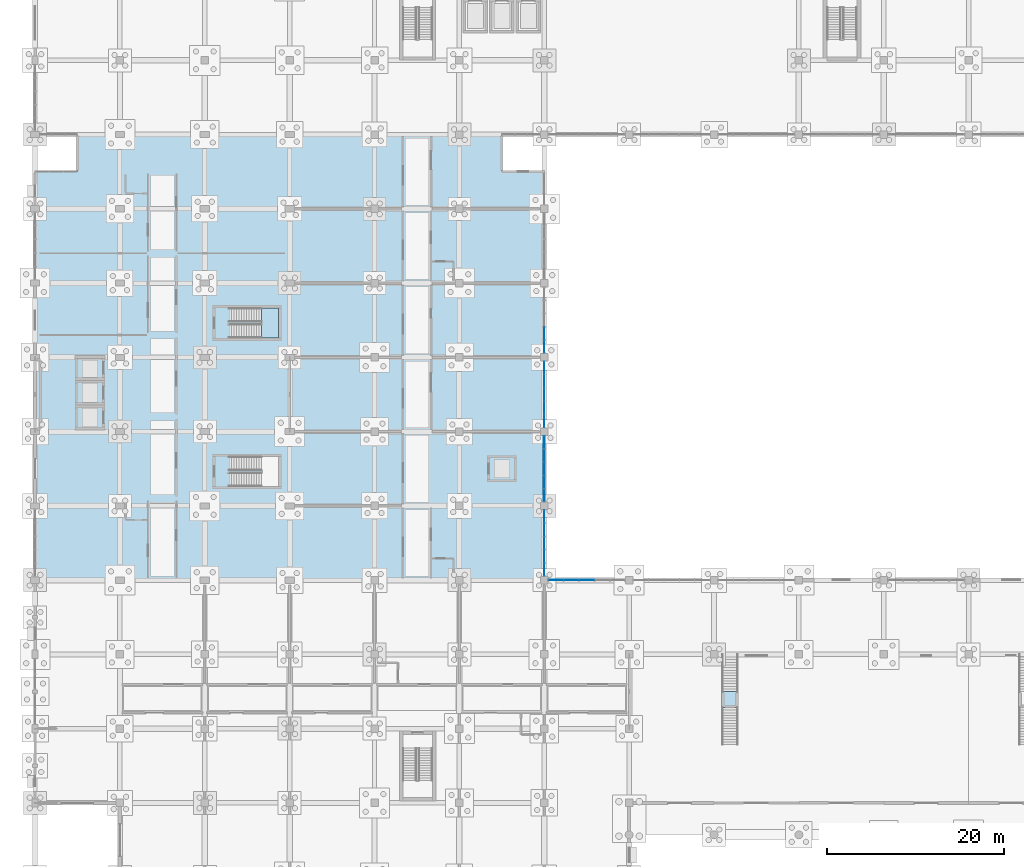
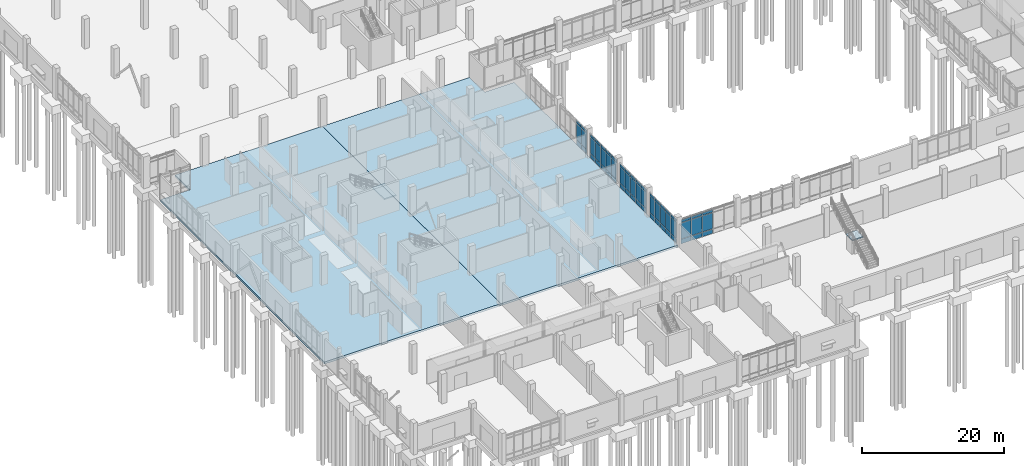
# One storey, part 74 of 136: 60 plates, 4 slabs, 7 elements without a shape of their own.
"""IFC4 building model written with IfcOpenShell, lengths in metres."""

import ifcopenshell
import ifcopenshell.guid

model = None  # the IFC model being written
_history = None  # IfcOwnerHistory: only IFC2X3 demands one
_inside = {}  # id of a spatial element -> (the spatial element, [elements in it])
_under = {}  # id of a project, library or spatial element -> (it, [spatial elements below it])
_declared = {}  # id of a project -> (the project, [libraries it declares])
_typed = {}  # id of a type object -> (the type object, [elements of that type])
_made_of = {}  # id of a material, layer set ... -> (it, [elements and type objects made of it])


def new_model(schema):
    """Start an empty IFC model of exactly this schema.

    Asked for "IFC4X3", IfcOpenShell would pick the latest addendum, in which some entities
    have other attributes; the version numbers below select the first issue.
    IFC2X3 requires an IfcOwnerHistory on every rooted entity: one is made here for all.
    """
    global model, _history
    if schema == "IFC4X3":
        model = ifcopenshell.file(schema_version=(4, 3, 0, 0))
    else:
        model = ifcopenshell.file(schema=schema)
    _inside.clear()
    _under.clear()
    _declared.clear()
    _typed.clear()
    _made_of.clear()
    _history = None
    if model.schema == "IFC2X3":
        org = make("IfcOrganization", Name="unknown")
        user = make(
            "IfcPersonAndOrganization",
            ThePerson=make("IfcPerson", FamilyName="unknown"),
            TheOrganization=org,
        )
        app = make(
            "IfcApplication",
            ApplicationDeveloper=org,
            Version="unknown",
            ApplicationFullName="unknown",
            ApplicationIdentifier="unknown",
        )
        _history = make(
            "IfcOwnerHistory",
            OwningUser=user,
            OwningApplication=app,
            ChangeAction="ADDED",
            CreationDate=0,
        )
    return model


def make(cls, **values):
    """One entity of the class cls with the attributes given. An attribute that is None is left unset."""
    return model.create_entity(
        cls, **{name: value for name, value in values.items() if value is not None}
    )


def rooted(cls, **values):
    """An entity with a GlobalId (a new one), such as an element, a storey or a relation."""
    return make(cls, GlobalId=ifcopenshell.guid.new(), OwnerHistory=_history, **values)


def si_unit(unit_type, name, prefix=None):
    """IfcSIUnit, for example si_unit("LENGTHUNIT", "METRE", prefix="MILLI")."""
    return make("IfcSIUnit", UnitType=unit_type, Prefix=prefix, Name=name)


def assignment(units):
    """IfcUnitAssignment: the units of a project."""
    return None if units is None else make("IfcUnitAssignment", Units=units)


def point(xyz):
    """IfcCartesianPoint."""
    return None if xyz is None else make("IfcCartesianPoint", Coordinates=xyz)


def direction(xyz):
    """IfcDirection."""
    return None if xyz is None else make("IfcDirection", DirectionRatios=xyz)


def frame(location, z_axis=None, x_axis=None):
    """IfcAxis2Placement3D, a coordinate frame: its origin and axes. An axis left out is left unset."""
    return make(
        "IfcAxis2Placement3D",
        Location=point(location),
        Axis=direction(z_axis),
        RefDirection=direction(x_axis),
    )


def frame_2d(location, x_axis=None):
    """IfcAxis2Placement2D, a coordinate frame in the plane: its origin and x axis."""
    return make(
        "IfcAxis2Placement2D", Location=point(location), RefDirection=direction(x_axis)
    )


def origin():
    """The frame at (0, 0, 0) with its axes left unset."""
    return frame((0.0, 0.0, 0.0))


def origin_2d():
    """The frame at (0, 0) in the plane with its x axis left unset."""
    return frame_2d((0.0, 0.0))


def place(relative_to, where):
    """IfcLocalPlacement: puts the frame where relative to a parent placement (None: the world)."""
    return make(
        "IfcLocalPlacement", PlacementRelTo=relative_to, RelativePlacement=where
    )


def context(
    kind, dimensions, precision=None, world=None, true_north=None, identifier=None
):
    """IfcGeometricRepresentationContext, for example the 3D "Model" context."""
    return make(
        "IfcGeometricRepresentationContext",
        ContextIdentifier=identifier,
        ContextType=kind,
        CoordinateSpaceDimension=dimensions,
        Precision=precision,
        WorldCoordinateSystem=world,
        TrueNorth=true_north,
    )


def subcontext(parent, identifier, kind, view, scale=None):
    """IfcGeometricRepresentationSubContext, for example "Body" below "Model"."""
    return make(
        "IfcGeometricRepresentationSubContext",
        ContextIdentifier=identifier,
        ContextType=kind,
        ParentContext=parent,
        TargetScale=scale,
        TargetView=view,
    )


def project(units=None, contexts=None):
    """IfcProject with its units and contexts."""
    return rooted(
        "IfcProject",
        Name="project",
        RepresentationContexts=contexts,
        UnitsInContext=assignment(units),
    )


def spatial(cls, under=None, at=None, **own):
    """A site, building, storey or space (cls), placed at a placement, below another one or the project."""
    s = rooted(cls, ObjectPlacement=at, **own)
    if under is not None:
        _under.setdefault(under.id(), (under, []))[1].append(s)
    return s


def polyline(points):
    """IfcPolyline through the points."""
    return make("IfcPolyline", Points=[point(p) for p in points])


def profile(cls, at=None, kind="AREA", **sizes):
    """A parametric profile (cls). Its sizes go by their IFC names, for example OverallWidth=200.0."""
    return make(cls, ProfileType=kind, Position=at, **sizes)


def rectangle(**sizes):
    """IfcRectangleProfileDef."""
    return profile("IfcRectangleProfileDef", **sizes)


def outline(outer, holes=None, kind="AREA"):
    """IfcArbitraryClosedProfileDef: a profile drawn as a closed curve; with holes, ...WithVoids."""
    if holes is None:
        return make("IfcArbitraryClosedProfileDef", ProfileType=kind, OuterCurve=outer)
    return make(
        "IfcArbitraryProfileDefWithVoids",
        ProfileType=kind,
        OuterCurve=outer,
        InnerCurves=holes,
    )


def extrude(swept, where, along, depth):
    """IfcExtrudedAreaSolid: the profile swept, set in the frame where, extruded along a direction by depth."""
    return make(
        "IfcExtrudedAreaSolid",
        SweptArea=swept,
        Position=where,
        ExtrudedDirection=direction(along),
        Depth=depth,
    )


def shape(context_of_items, identifier, shape_type, items):
    """IfcShapeRepresentation: the items that make up one representation, for example the "Body"."""
    return make(
        "IfcShapeRepresentation",
        ContextOfItems=context_of_items,
        RepresentationIdentifier=identifier,
        RepresentationType=shape_type,
        Items=items,
    )


def material(Name=None, Category=None):
    """IfcMaterial."""
    return make("IfcMaterial", Name=Name, Category=Category)


def layer(
    of_material, thickness, ventilated=None, Name=None, Category=None, Priority=None
):
    """IfcMaterialLayer: one layer of a wall or slab, of a material (None: an air gap)."""
    return make(
        "IfcMaterialLayer",
        Material=of_material,
        LayerThickness=thickness,
        IsVentilated=ventilated,
        Name=Name,
        Category=Category,
        Priority=Priority,
    )


def layer_set(layers, Name=None):
    """IfcMaterialLayerSet."""
    return make("IfcMaterialLayerSet", MaterialLayers=layers, LayerSetName=Name)


def made_of(thing, what):
    """Note that an element or type object is made of a material, layer set ...; save() writes the relation."""
    if what is not None:
        _made_of.setdefault(what.id(), (what, []))[1].append(thing)
    return thing


def type_object(cls, material=None, **own):
    """A type object (cls), such as IfcWallType, which elements share."""
    return made_of(rooted(cls, **own), material)


def element(
    cls,
    number,
    at=None,
    inside=None,
    cuts=None,
    type_object=None,
    material=None,
    context=None,
    identifier="Body",
    shape_type=None,
    held_by="IfcProductDefinitionShape",
    body=None,
    shapes=None,
    **own,
):
    """One element of the class cls, such as IfcWall. Its Tag is "e" and its number.

    at: its placement. inside: the storey or other place that contains it. cuts: it is an
    opening in that element (IfcRelVoidsElement). A single representation is given by context,
    identifier, shape_type and body (its items); several are given by shapes. held_by: the class
    of the entity that holds the representations. save() writes the other relations.
    """
    e = rooted(cls, Tag="e%d" % number, ObjectPlacement=at, **own)
    if body is not None:
        shapes = [shape(context, identifier, shape_type, body)]
    if shapes is not None:
        e.Representation = make(held_by, Representations=shapes)
    if inside is not None:
        _inside.setdefault(inside.id(), (inside, []))[1].append(e)
    if cuts is not None:
        rooted(
            "IfcRelVoidsElement", RelatingBuildingElement=cuts, RelatedOpeningElement=e
        )
    if type_object is not None:
        _typed.setdefault(type_object.id(), (type_object, []))[1].append(e)
    return made_of(e, material)


def aggregate(whole, parts):
    """IfcRelAggregates: a whole, such as a stair, and the parts it consists of."""
    return rooted("IfcRelAggregates", RelatingObject=whole, RelatedObjects=parts)


def save(model, path):
    """Write the relations noted so far, then the file.

    IfcRelAggregates (storeys below a building ...), IfcRelContainedInSpatialStructure (elements
    in a storey), IfcRelDefinesByType, IfcRelAssociatesMaterial and IfcRelDeclares: one each for
    every whole, place, type object, material and project.
    """
    for whole, parts in _under.values():
        aggregate(whole, parts)
    for where, things in _inside.values():
        rooted(
            "IfcRelContainedInSpatialStructure",
            RelatedElements=things,
            RelatingStructure=where,
        )
    for kind, things in _typed.values():
        rooted("IfcRelDefinesByType", RelatedObjects=things, RelatingType=kind)
    for what, things in _made_of.values():
        rooted("IfcRelAssociatesMaterial", RelatedObjects=things, RelatingMaterial=what)
    for by, libraries in _declared.values():
        rooted("IfcRelDeclares", RelatingContext=by, RelatedDefinitions=libraries)
    model.write(path)


model = new_model("IFC4")

# Units and contexts
model_context = context("Model", 3, precision=1e-05, world=origin(), true_north=direction((0.0, 1.0)))
body_context = subcontext(model_context, "Body", "Model", "MODEL_VIEW")
ifc_project = project(units=[si_unit("LENGTHUNIT", "METRE"), si_unit("AREAUNIT", "SQUARE_METRE"), si_unit("VOLUMEUNIT", "CUBIC_METRE"), si_unit("PLANEANGLEUNIT", "RADIAN"), si_unit("MASSUNIT", "GRAM", prefix="KILO")], contexts=[model_context])

# Site, building, storey
site_placement = place(None, origin())
site = spatial("IfcSite", under=ifc_project, at=site_placement, CompositionType="ELEMENT")
building_placement = place(site_placement, origin())
building = spatial("IfcBuilding", under=site, at=building_placement, Name="Oolite Switchyard Hospital", CompositionType="ELEMENT")
storey_placement = place(building_placement, origin())
storey = spatial("IfcBuildingStorey", under=building, at=storey_placement, Name="L00", CompositionType="ELEMENT", Elevation=0.0)

# Curtain wall, plates
ifc_material_1 = material(Name="Thermally broken aluminum frame with laminated impact glazing", Category="aluminium")
curtain_wall_type_1 = type_object("IfcCurtainWallType", Name="CW-UNIT-96X51", PredefinedType="USERDEFINED", material=ifc_material_1)
curtain_wall_1_placement = place(storey_placement, origin())
curtain_wall_1 = element("IfcCurtainWall", 1, at=curtain_wall_1_placement, inside=storey, type_object=curtain_wall_type_1, Name="L00 Unitised Curtain Wall 14", ObjectType="UNITISED", PredefinedType="USERDEFINED")
ifc_material_2 = material(Name="Insulated fluoropolymer-coated aluminum spandrel panel", Category="aluminium")
ifc_layer_1 = layer(ifc_material_2, 0.054931640625)
ifc_layer_set_1 = layer_set([ifc_layer_1], Name="CW-PNL-SPN55")
plate_type_1 = type_object("IfcPlateType", Name="CW-PNL-SPN55", PredefinedType="CURTAIN_PANEL", material=ifc_layer_set_1)
plate_1_placement = place(storey_placement, frame((58.9306640625, 33.60009765625, 0.06005859375), z_axis=(0.0, 0.0, 1.0), x_axis=(1.0, 0.0, 0.0)))
plate_1 = element("IfcPlate", 2, at=plate_1_placement, type_object=plate_type_1, Name="CW-01 panel 1.1", PredefinedType="CURTAIN_PANEL", context=body_context, shape_type="SweptSolid", body=[
    extrude(rectangle(XDim=1.631591796875, YDim=0.054931640625, at=origin_2d()), origin(), (0.0, 0.0, 1.0), 0.760009765625),
])
plate_2_placement = place(storey_placement, frame((58.9306640625, 33.60009765625, 0.8798828125), z_axis=(0.0, 0.0, 1.0), x_axis=(1.0, 0.0, 0.0)))
plate_2 = element("IfcPlate", 3, at=plate_2_placement, type_object=plate_type_1, Name="CW-01 panel 1.2", PredefinedType="CURTAIN_PANEL", context=body_context, shape_type="SweptSolid", body=[
    extrude(rectangle(XDim=1.631591796875, YDim=0.054931640625, at=origin_2d()), origin(), (0.0, 0.0, 1.0), 2.780029296875),
])
plate_3_placement = place(storey_placement, frame((58.9306640625, 33.60009765625, 3.719970703125), z_axis=(0.0, 0.0, 1.0), x_axis=(1.0, 0.0, 0.0)))
plate_3 = element("IfcPlate", 4, at=plate_3_placement, type_object=plate_type_1, Name="CW-01 panel 1.3", PredefinedType="CURTAIN_PANEL", context=body_context, shape_type="SweptSolid", body=[
    extrude(rectangle(XDim=1.631591796875, YDim=0.054931640625, at=origin_2d()), origin(), (0.0, 0.0, 1.0), 0.4599609375),
])
plate_4_placement = place(storey_placement, frame((60.656005859375, 33.60009765625, 0.06005859375), z_axis=(0.0, 0.0, 1.0), x_axis=(1.0, 0.0, 0.0)))
plate_4 = element("IfcPlate", 5, at=plate_4_placement, type_object=plate_type_1, Name="CW-01 panel 2.1", PredefinedType="CURTAIN_PANEL", context=body_context, shape_type="SweptSolid", body=[
    extrude(rectangle(XDim=1.6689453125, YDim=0.054931640625, at=origin_2d()), origin(), (0.0, 0.0, 1.0), 0.760009765625),
])
plate_5_placement = place(storey_placement, frame((60.656005859375, 33.60009765625, 0.8798828125), z_axis=(0.0, 0.0, 1.0), x_axis=(1.0, 0.0, 0.0)))
plate_5 = element("IfcPlate", 6, at=plate_5_placement, type_object=plate_type_1, Name="CW-01 panel 2.2", PredefinedType="CURTAIN_PANEL", context=body_context, shape_type="SweptSolid", body=[
    extrude(rectangle(XDim=1.6689453125, YDim=0.054931640625, at=origin_2d()), origin(), (0.0, 0.0, 1.0), 2.780029296875),
])
plate_6_placement = place(storey_placement, frame((60.656005859375, 33.60009765625, 3.719970703125), z_axis=(0.0, 0.0, 1.0), x_axis=(1.0, 0.0, 0.0)))
plate_6 = element("IfcPlate", 7, at=plate_6_placement, type_object=plate_type_1, Name="CW-01 panel 2.3", PredefinedType="CURTAIN_PANEL", context=body_context, shape_type="SweptSolid", body=[
    extrude(rectangle(XDim=1.6689453125, YDim=0.054931640625, at=origin_2d()), origin(), (0.0, 0.0, 1.0), 0.4599609375),
])
plate_7_placement = place(storey_placement, frame((62.39990234375, 33.60009765625, 0.06005859375), z_axis=(0.0, 0.0, 1.0), x_axis=(1.0, 0.0, 0.0)))
plate_7 = element("IfcPlate", 8, at=plate_7_placement, type_object=plate_type_1, Name="CW-01 panel 3.1", PredefinedType="CURTAIN_PANEL", context=body_context, shape_type="SweptSolid", body=[
    extrude(rectangle(XDim=1.6689453125, YDim=0.054931640625, at=origin_2d()), origin(), (0.0, 0.0, 1.0), 0.760009765625),
])
plate_8_placement = place(storey_placement, frame((62.39990234375, 33.60009765625, 0.8798828125), z_axis=(0.0, 0.0, 1.0), x_axis=(1.0, 0.0, 0.0)))
plate_8 = element("IfcPlate", 9, at=plate_8_placement, type_object=plate_type_1, Name="CW-01 panel 3.2", PredefinedType="CURTAIN_PANEL", context=body_context, shape_type="SweptSolid", body=[
    extrude(rectangle(XDim=1.6689453125, YDim=0.054931640625, at=origin_2d()), origin(), (0.0, 0.0, 1.0), 2.780029296875),
])
plate_9_placement = place(storey_placement, frame((62.39990234375, 33.60009765625, 3.719970703125), z_axis=(0.0, 0.0, 1.0), x_axis=(1.0, 0.0, 0.0)))
plate_9 = element("IfcPlate", 10, at=plate_9_placement, type_object=plate_type_1, Name="CW-01 panel 3.3", PredefinedType="CURTAIN_PANEL", context=body_context, shape_type="SweptSolid", body=[
    extrude(rectangle(XDim=1.6689453125, YDim=0.054931640625, at=origin_2d()), origin(), (0.0, 0.0, 1.0), 0.4599609375),
])
aggregate(curtain_wall_1, [plate_1, plate_2, plate_3, plate_4, plate_5, plate_6, plate_7, plate_8, plate_9])

curtain_wall_type_2 = type_object("IfcCurtainWallType", Name="CW-UNIT-84X51", PredefinedType="USERDEFINED", material=ifc_material_1)
curtain_wall_2_placement = place(storey_placement, origin())
curtain_wall_2 = element("IfcCurtainWall", 11, at=curtain_wall_2_placement, inside=storey, type_object=curtain_wall_type_2, Name="L00 Unitised Curtain Wall 59", ObjectType="UNITISED", PredefinedType="USERDEFINED")
ifc_layer_2 = layer(ifc_material_2, 0.070068359375)
ifc_layer_set_2 = layer_set([ifc_layer_2], Name="CW-PNL-SPN70")
plate_type_2 = type_object("IfcPlateType", Name="CW-PNL-SPN70", PredefinedType="CURTAIN_PANEL", material=ifc_layer_set_2)
plate_10_placement = place(storey_placement, frame((57.60009765625, 49.189208984375, 0.0751953125), z_axis=(0.0, 0.0, 1.0), x_axis=(0.0, -1.0, 0.0)))
plate_10 = element("IfcPlate", 12, at=plate_10_placement, type_object=plate_type_2, Name="CW-06 panel 1.1", PredefinedType="CURTAIN_PANEL", context=body_context, shape_type="SweptSolid", body=[
    extrude(rectangle(XDim=1.3916015625, YDim=0.070068359375, at=origin_2d()), origin(), (0.0, 0.0, 1.0), 0.737548828125),
])
plate_11_placement = place(storey_placement, frame((57.60009765625, 49.189208984375, 0.8876953125), z_axis=(0.0, 0.0, 1.0), x_axis=(0.0, -1.0, 0.0)))
plate_11 = element("IfcPlate", 13, at=plate_11_placement, type_object=plate_type_2, Name="CW-06 panel 1.2", PredefinedType="CURTAIN_PANEL", context=body_context, shape_type="SweptSolid", body=[
    extrude(rectangle(XDim=1.3916015625, YDim=0.070068359375, at=origin_2d()), origin(), (0.0, 0.0, 1.0), 2.764892578125),
])
plate_12_placement = place(storey_placement, frame((57.60009765625, 49.189208984375, 3.7275390625), z_axis=(0.0, 0.0, 1.0), x_axis=(0.0, -1.0, 0.0)))
plate_12 = element("IfcPlate", 14, at=plate_12_placement, type_object=plate_type_2, Name="CW-06 panel 1.3", PredefinedType="CURTAIN_PANEL", context=body_context, shape_type="SweptSolid", body=[
    extrude(rectangle(XDim=1.3916015625, YDim=0.070068359375, at=origin_2d()), origin(), (0.0, 0.0, 1.0), 0.4375),
])
plate_13_placement = place(storey_placement, frame((57.60009765625, 47.7041015625, 0.0751953125), z_axis=(0.0, 0.0, 1.0), x_axis=(0.0, -1.0, 0.0)))
plate_13 = element("IfcPlate", 15, at=plate_13_placement, type_object=plate_type_2, Name="CW-06 panel 2.1", PredefinedType="CURTAIN_PANEL", context=body_context, shape_type="SweptSolid", body=[
    extrude(rectangle(XDim=1.428955078125, YDim=0.070068359375, at=origin_2d()), origin(), (0.0, 0.0, 1.0), 0.737548828125),
])
plate_14_placement = place(storey_placement, frame((57.60009765625, 47.7041015625, 0.8876953125), z_axis=(0.0, 0.0, 1.0), x_axis=(0.0, -1.0, 0.0)))
plate_14 = element("IfcPlate", 16, at=plate_14_placement, type_object=plate_type_2, Name="CW-06 panel 2.2", PredefinedType="CURTAIN_PANEL", context=body_context, shape_type="SweptSolid", body=[
    extrude(rectangle(XDim=1.428955078125, YDim=0.070068359375, at=origin_2d()), origin(), (0.0, 0.0, 1.0), 2.764892578125),
])
plate_15_placement = place(storey_placement, frame((57.60009765625, 47.7041015625, 3.7275390625), z_axis=(0.0, 0.0, 1.0), x_axis=(0.0, -1.0, 0.0)))
plate_15 = element("IfcPlate", 17, at=plate_15_placement, type_object=plate_type_2, Name="CW-06 panel 2.3", PredefinedType="CURTAIN_PANEL", context=body_context, shape_type="SweptSolid", body=[
    extrude(rectangle(XDim=1.428955078125, YDim=0.070068359375, at=origin_2d()), origin(), (0.0, 0.0, 1.0), 0.4375),
])
plate_16_placement = place(storey_placement, frame((57.60009765625, 46.199951171875, 0.0751953125), z_axis=(0.0, 0.0, 1.0), x_axis=(0.0, -1.0, 0.0)))
plate_16 = element("IfcPlate", 18, at=plate_16_placement, type_object=plate_type_2, Name="CW-06 panel 3.1", PredefinedType="CURTAIN_PANEL", context=body_context, shape_type="SweptSolid", body=[
    extrude(rectangle(XDim=1.428955078125, YDim=0.070068359375, at=origin_2d()), origin(), (0.0, 0.0, 1.0), 0.737548828125),
])
plate_17_placement = place(storey_placement, frame((57.60009765625, 46.199951171875, 0.8876953125), z_axis=(0.0, 0.0, 1.0), x_axis=(0.0, -1.0, 0.0)))
plate_17 = element("IfcPlate", 19, at=plate_17_placement, type_object=plate_type_2, Name="CW-06 panel 3.2", PredefinedType="CURTAIN_PANEL", context=body_context, shape_type="SweptSolid", body=[
    extrude(rectangle(XDim=1.428955078125, YDim=0.070068359375, at=origin_2d()), origin(), (0.0, 0.0, 1.0), 2.764892578125),
])
plate_18_placement = place(storey_placement, frame((57.60009765625, 46.199951171875, 3.7275390625), z_axis=(0.0, 0.0, 1.0), x_axis=(0.0, -1.0, 0.0)))
plate_18 = element("IfcPlate", 20, at=plate_18_placement, type_object=plate_type_2, Name="CW-06 panel 3.3", PredefinedType="CURTAIN_PANEL", context=body_context, shape_type="SweptSolid", body=[
    extrude(rectangle(XDim=1.428955078125, YDim=0.070068359375, at=origin_2d()), origin(), (0.0, 0.0, 1.0), 0.4375),
])
plate_19_placement = place(storey_placement, frame((57.60009765625, 44.696044921875, 0.0751953125), z_axis=(0.0, 0.0, 1.0), x_axis=(0.0, -1.0, 0.0)))
plate_19 = element("IfcPlate", 21, at=plate_19_placement, type_object=plate_type_2, Name="CW-06 panel 4.1", PredefinedType="CURTAIN_PANEL", context=body_context, shape_type="SweptSolid", body=[
    extrude(rectangle(XDim=1.428955078125, YDim=0.070068359375, at=origin_2d()), origin(), (0.0, 0.0, 1.0), 0.737548828125),
])
plate_20_placement = place(storey_placement, frame((57.60009765625, 44.696044921875, 0.8876953125), z_axis=(0.0, 0.0, 1.0), x_axis=(0.0, -1.0, 0.0)))
plate_20 = element("IfcPlate", 22, at=plate_20_placement, type_object=plate_type_2, Name="CW-06 panel 4.2", PredefinedType="CURTAIN_PANEL", context=body_context, shape_type="SweptSolid", body=[
    extrude(rectangle(XDim=1.428955078125, YDim=0.070068359375, at=origin_2d()), origin(), (0.0, 0.0, 1.0), 2.764892578125),
])
plate_21_placement = place(storey_placement, frame((57.60009765625, 44.696044921875, 3.7275390625), z_axis=(0.0, 0.0, 1.0), x_axis=(0.0, -1.0, 0.0)))
plate_21 = element("IfcPlate", 23, at=plate_21_placement, type_object=plate_type_2, Name="CW-06 panel 4.3", PredefinedType="CURTAIN_PANEL", context=body_context, shape_type="SweptSolid", body=[
    extrude(rectangle(XDim=1.428955078125, YDim=0.070068359375, at=origin_2d()), origin(), (0.0, 0.0, 1.0), 0.4375),
])
plate_22_placement = place(storey_placement, frame((57.60009765625, 43.210693359375, 0.0751953125), z_axis=(0.0, 0.0, 1.0), x_axis=(0.0, -1.0, 0.0)))
plate_22 = element("IfcPlate", 24, at=plate_22_placement, type_object=plate_type_2, Name="CW-06 panel 5.1", PredefinedType="CURTAIN_PANEL", context=body_context, shape_type="SweptSolid", body=[
    extrude(rectangle(XDim=1.3916015625, YDim=0.070068359375, at=origin_2d()), origin(), (0.0, 0.0, 1.0), 0.737548828125),
])
plate_23_placement = place(storey_placement, frame((57.60009765625, 43.210693359375, 0.8876953125), z_axis=(0.0, 0.0, 1.0), x_axis=(0.0, -1.0, 0.0)))
plate_23 = element("IfcPlate", 25, at=plate_23_placement, type_object=plate_type_2, Name="CW-06 panel 5.2", PredefinedType="CURTAIN_PANEL", context=body_context, shape_type="SweptSolid", body=[
    extrude(rectangle(XDim=1.3916015625, YDim=0.070068359375, at=origin_2d()), origin(), (0.0, 0.0, 1.0), 2.764892578125),
])
plate_24_placement = place(storey_placement, frame((57.60009765625, 43.210693359375, 3.7275390625), z_axis=(0.0, 0.0, 1.0), x_axis=(0.0, -1.0, 0.0)))
plate_24 = element("IfcPlate", 26, at=plate_24_placement, type_object=plate_type_2, Name="CW-06 panel 5.3", PredefinedType="CURTAIN_PANEL", context=body_context, shape_type="SweptSolid", body=[
    extrude(rectangle(XDim=1.3916015625, YDim=0.070068359375, at=origin_2d()), origin(), (0.0, 0.0, 1.0), 0.4375),
])
aggregate(curtain_wall_2, [plate_10, plate_11, plate_12, plate_13, plate_14, plate_15, plate_16, plate_17, plate_18, plate_19, plate_20, plate_21, plate_22, plate_23, plate_24])

curtain_wall_3_placement = place(storey_placement, origin())
curtain_wall_3 = element("IfcCurtainWall", 27, at=curtain_wall_3_placement, inside=storey, type_object=curtain_wall_type_2, Name="L00 Unitised Curtain Wall 60", ObjectType="UNITISED", PredefinedType="USERDEFINED")
ifc_material_3 = material(Name="Laminated hurricane-impact insulated glazing unit", Category="glass")
ifc_layer_3 = layer(ifc_material_3, 0.031982421875)
ifc_layer_set_3 = layer_set([ifc_layer_3], Name="CW-PNL-VIS32")
plate_type_3 = type_object("IfcPlateType", Name="CW-PNL-VIS32", PredefinedType="CURTAIN_PANEL", material=ifc_layer_set_3)
plate_25_placement = place(storey_placement, frame((57.60009765625, 57.593017578125, 0.06005859375), z_axis=(0.0, 0.0, 1.0), x_axis=(0.0, -1.0, 0.0)))
plate_25 = element("IfcPlate", 28, at=plate_25_placement, type_object=plate_type_3, Name="CW-06 panel 1.1", PredefinedType="CURTAIN_PANEL", context=body_context, shape_type="SweptSolid", body=[
    extrude(rectangle(XDim=1.4140625, YDim=0.031982421875, at=origin_2d()), origin(), (0.0, 0.0, 1.0), 0.760009765625),
])
plate_26_placement = place(storey_placement, frame((57.60009765625, 57.593017578125, 0.8798828125), z_axis=(0.0, 0.0, 1.0), x_axis=(0.0, -1.0, 0.0)))
plate_26 = element("IfcPlate", 29, at=plate_26_placement, type_object=plate_type_3, Name="CW-06 panel 1.2", PredefinedType="CURTAIN_PANEL", context=body_context, shape_type="SweptSolid", body=[
    extrude(rectangle(XDim=1.4140625, YDim=0.031982421875, at=origin_2d()), origin(), (0.0, 0.0, 1.0), 2.780029296875),
])
plate_27_placement = place(storey_placement, frame((57.60009765625, 57.593017578125, 3.719970703125), z_axis=(0.0, 0.0, 1.0), x_axis=(0.0, -1.0, 0.0)))
plate_27 = element("IfcPlate", 30, at=plate_27_placement, type_object=plate_type_3, Name="CW-06 panel 1.3", PredefinedType="CURTAIN_PANEL", context=body_context, shape_type="SweptSolid", body=[
    extrude(rectangle(XDim=1.4140625, YDim=0.031982421875, at=origin_2d()), origin(), (0.0, 0.0, 1.0), 0.4599609375),
])
plate_28_placement = place(storey_placement, frame((57.60009765625, 56.10400390625, 0.06005859375), z_axis=(0.0, 0.0, 1.0), x_axis=(0.0, -1.0, 0.0)))
plate_28 = element("IfcPlate", 31, at=plate_28_placement, type_object=plate_type_3, Name="CW-06 panel 2.1", PredefinedType="CURTAIN_PANEL", context=body_context, shape_type="SweptSolid", body=[
    extrude(rectangle(XDim=1.444091796875, YDim=0.031982421875, at=origin_2d()), origin(), (0.0, 0.0, 1.0), 0.760009765625),
])
plate_29_placement = place(storey_placement, frame((57.60009765625, 56.10400390625, 0.8798828125), z_axis=(0.0, 0.0, 1.0), x_axis=(0.0, -1.0, 0.0)))
plate_29 = element("IfcPlate", 32, at=plate_29_placement, type_object=plate_type_3, Name="CW-06 panel 2.2", PredefinedType="CURTAIN_PANEL", context=body_context, shape_type="SweptSolid", body=[
    extrude(rectangle(XDim=1.444091796875, YDim=0.031982421875, at=origin_2d()), origin(), (0.0, 0.0, 1.0), 2.780029296875),
])
plate_30_placement = place(storey_placement, frame((57.60009765625, 56.10400390625, 3.719970703125), z_axis=(0.0, 0.0, 1.0), x_axis=(0.0, -1.0, 0.0)))
plate_30 = element("IfcPlate", 33, at=plate_30_placement, type_object=plate_type_3, Name="CW-06 panel 2.3", PredefinedType="CURTAIN_PANEL", context=body_context, shape_type="SweptSolid", body=[
    extrude(rectangle(XDim=1.444091796875, YDim=0.031982421875, at=origin_2d()), origin(), (0.0, 0.0, 1.0), 0.4599609375),
])
plate_31_placement = place(storey_placement, frame((57.60009765625, 54.60009765625, 0.06005859375), z_axis=(0.0, 0.0, 1.0), x_axis=(0.0, -1.0, 0.0)))
plate_31 = element("IfcPlate", 34, at=plate_31_placement, type_object=plate_type_3, Name="CW-06 panel 3.1", PredefinedType="CURTAIN_PANEL", context=body_context, shape_type="SweptSolid", body=[
    extrude(rectangle(XDim=1.444091796875, YDim=0.031982421875, at=origin_2d()), origin(), (0.0, 0.0, 1.0), 0.760009765625),
])
plate_32_placement = place(storey_placement, frame((57.60009765625, 54.60009765625, 0.8798828125), z_axis=(0.0, 0.0, 1.0), x_axis=(0.0, -1.0, 0.0)))
plate_32 = element("IfcPlate", 35, at=plate_32_placement, type_object=plate_type_3, Name="CW-06 panel 3.2", PredefinedType="CURTAIN_PANEL", context=body_context, shape_type="SweptSolid", body=[
    extrude(rectangle(XDim=1.444091796875, YDim=0.031982421875, at=origin_2d()), origin(), (0.0, 0.0, 1.0), 2.780029296875),
])
plate_33_placement = place(storey_placement, frame((57.60009765625, 54.60009765625, 3.719970703125), z_axis=(0.0, 0.0, 1.0), x_axis=(0.0, -1.0, 0.0)))
plate_33 = element("IfcPlate", 36, at=plate_33_placement, type_object=plate_type_3, Name="CW-06 panel 3.3", PredefinedType="CURTAIN_PANEL", context=body_context, shape_type="SweptSolid", body=[
    extrude(rectangle(XDim=1.444091796875, YDim=0.031982421875, at=origin_2d()), origin(), (0.0, 0.0, 1.0), 0.4599609375),
])
plate_34_placement = place(storey_placement, frame((57.60009765625, 53.095947265625, 0.06005859375), z_axis=(0.0, 0.0, 1.0), x_axis=(0.0, -1.0, 0.0)))
plate_34 = element("IfcPlate", 37, at=plate_34_placement, type_object=plate_type_3, Name="CW-06 panel 4.1", PredefinedType="CURTAIN_PANEL", context=body_context, shape_type="SweptSolid", body=[
    extrude(rectangle(XDim=1.444091796875, YDim=0.031982421875, at=origin_2d()), origin(), (0.0, 0.0, 1.0), 0.760009765625),
])
plate_35_placement = place(storey_placement, frame((57.60009765625, 53.095947265625, 0.8798828125), z_axis=(0.0, 0.0, 1.0), x_axis=(0.0, -1.0, 0.0)))
plate_35 = element("IfcPlate", 38, at=plate_35_placement, type_object=plate_type_3, Name="CW-06 panel 4.2", PredefinedType="CURTAIN_PANEL", context=body_context, shape_type="SweptSolid", body=[
    extrude(rectangle(XDim=1.444091796875, YDim=0.031982421875, at=origin_2d()), origin(), (0.0, 0.0, 1.0), 2.780029296875),
])
plate_36_placement = place(storey_placement, frame((57.60009765625, 53.095947265625, 3.719970703125), z_axis=(0.0, 0.0, 1.0), x_axis=(0.0, -1.0, 0.0)))
plate_36 = element("IfcPlate", 39, at=plate_36_placement, type_object=plate_type_3, Name="CW-06 panel 4.3", PredefinedType="CURTAIN_PANEL", context=body_context, shape_type="SweptSolid", body=[
    extrude(rectangle(XDim=1.444091796875, YDim=0.031982421875, at=origin_2d()), origin(), (0.0, 0.0, 1.0), 0.4599609375),
])
plate_37_placement = place(storey_placement, frame((57.60009765625, 51.60693359375, 0.06005859375), z_axis=(0.0, 0.0, 1.0), x_axis=(0.0, -1.0, 0.0)))
plate_37 = element("IfcPlate", 40, at=plate_37_placement, type_object=plate_type_3, Name="CW-06 panel 5.1", PredefinedType="CURTAIN_PANEL", context=body_context, shape_type="SweptSolid", body=[
    extrude(rectangle(XDim=1.4140625, YDim=0.031982421875, at=origin_2d()), origin(), (0.0, 0.0, 1.0), 0.760009765625),
])
plate_38_placement = place(storey_placement, frame((57.60009765625, 51.60693359375, 0.8798828125), z_axis=(0.0, 0.0, 1.0), x_axis=(0.0, -1.0, 0.0)))
plate_38 = element("IfcPlate", 41, at=plate_38_placement, type_object=plate_type_3, Name="CW-06 panel 5.2", PredefinedType="CURTAIN_PANEL", context=body_context, shape_type="SweptSolid", body=[
    extrude(rectangle(XDim=1.4140625, YDim=0.031982421875, at=origin_2d()), origin(), (0.0, 0.0, 1.0), 2.780029296875),
])
plate_39_placement = place(storey_placement, frame((57.60009765625, 51.60693359375, 3.719970703125), z_axis=(0.0, 0.0, 1.0), x_axis=(0.0, -1.0, 0.0)))
plate_39 = element("IfcPlate", 42, at=plate_39_placement, type_object=plate_type_3, Name="CW-06 panel 5.3", PredefinedType="CURTAIN_PANEL", context=body_context, shape_type="SweptSolid", body=[
    extrude(rectangle(XDim=1.4140625, YDim=0.031982421875, at=origin_2d()), origin(), (0.0, 0.0, 1.0), 0.4599609375),
])
aggregate(curtain_wall_3, [plate_25, plate_26, plate_27, plate_28, plate_29, plate_30, plate_31, plate_32, plate_33, plate_34, plate_35, plate_36, plate_37, plate_38, plate_39])

curtain_wall_4_placement = place(storey_placement, origin())
curtain_wall_4 = element("IfcCurtainWall", 43, at=curtain_wall_4_placement, inside=storey, type_object=curtain_wall_type_2, Name="L00 Unitised Curtain Wall 58", ObjectType="UNITISED", PredefinedType="USERDEFINED")
ifc_layer_4 = layer(ifc_material_3, 0.0419921875)
ifc_layer_set_4 = layer_set([ifc_layer_4], Name="CW-PNL-VIS42")
plate_type_4 = type_object("IfcPlateType", Name="CW-PNL-VIS42", PredefinedType="CURTAIN_PANEL", material=ifc_layer_set_4)
plate_40_placement = place(storey_placement, frame((57.60009765625, 40.79052734375, 0.06005859375), z_axis=(0.0, 0.0, 1.0), x_axis=(0.0, -1.0, 0.0)))
plate_40 = element("IfcPlate", 44, at=plate_40_placement, type_object=plate_type_4, Name="CW-06 panel 1.1", PredefinedType="CURTAIN_PANEL", context=body_context, shape_type="SweptSolid", body=[
    extrude(rectangle(XDim=1.39892578125, YDim=0.0419921875, at=origin_2d()), origin(), (0.0, 0.0, 1.0), 0.760009765625),
])
plate_41_placement = place(storey_placement, frame((57.60009765625, 40.79052734375, 0.8798828125), z_axis=(0.0, 0.0, 1.0), x_axis=(0.0, -1.0, 0.0)))
plate_41 = element("IfcPlate", 45, at=plate_41_placement, type_object=plate_type_4, Name="CW-06 panel 1.2", PredefinedType="CURTAIN_PANEL", context=body_context, shape_type="SweptSolid", body=[
    extrude(rectangle(XDim=1.39892578125, YDim=0.0419921875, at=origin_2d()), origin(), (0.0, 0.0, 1.0), 2.780029296875),
])
plate_42_placement = place(storey_placement, frame((57.60009765625, 40.79052734375, 3.719970703125), z_axis=(0.0, 0.0, 1.0), x_axis=(0.0, -1.0, 0.0)))
plate_42 = element("IfcPlate", 46, at=plate_42_placement, type_object=plate_type_4, Name="CW-06 panel 1.3", PredefinedType="CURTAIN_PANEL", context=body_context, shape_type="SweptSolid", body=[
    extrude(rectangle(XDim=1.39892578125, YDim=0.0419921875, at=origin_2d()), origin(), (0.0, 0.0, 1.0), 0.4599609375),
])
plate_43_placement = place(storey_placement, frame((57.60009765625, 39.303955078125, 0.06005859375), z_axis=(0.0, 0.0, 1.0), x_axis=(0.0, -1.0, 0.0)))
plate_43 = element("IfcPlate", 47, at=plate_43_placement, type_object=plate_type_4, Name="CW-06 panel 2.1", PredefinedType="CURTAIN_PANEL", context=body_context, shape_type="SweptSolid", body=[
    extrude(rectangle(XDim=1.43408203125, YDim=0.0419921875, at=origin_2d()), origin(), (0.0, 0.0, 1.0), 0.760009765625),
])
plate_44_placement = place(storey_placement, frame((57.60009765625, 39.303955078125, 0.8798828125), z_axis=(0.0, 0.0, 1.0), x_axis=(0.0, -1.0, 0.0)))
plate_44 = element("IfcPlate", 48, at=plate_44_placement, type_object=plate_type_4, Name="CW-06 panel 2.2", PredefinedType="CURTAIN_PANEL", context=body_context, shape_type="SweptSolid", body=[
    extrude(rectangle(XDim=1.43408203125, YDim=0.0419921875, at=origin_2d()), origin(), (0.0, 0.0, 1.0), 2.780029296875),
])
plate_45_placement = place(storey_placement, frame((57.60009765625, 39.303955078125, 3.719970703125), z_axis=(0.0, 0.0, 1.0), x_axis=(0.0, -1.0, 0.0)))
plate_45 = element("IfcPlate", 49, at=plate_45_placement, type_object=plate_type_4, Name="CW-06 panel 2.3", PredefinedType="CURTAIN_PANEL", context=body_context, shape_type="SweptSolid", body=[
    extrude(rectangle(XDim=1.43408203125, YDim=0.0419921875, at=origin_2d()), origin(), (0.0, 0.0, 1.0), 0.4599609375),
])
plate_46_placement = place(storey_placement, frame((57.60009765625, 37.800048828125, 0.06005859375), z_axis=(0.0, 0.0, 1.0), x_axis=(0.0, -1.0, 0.0)))
plate_46 = element("IfcPlate", 50, at=plate_46_placement, type_object=plate_type_4, Name="CW-06 panel 3.1", PredefinedType="CURTAIN_PANEL", context=body_context, shape_type="SweptSolid", body=[
    extrude(rectangle(XDim=1.43408203125, YDim=0.0419921875, at=origin_2d()), origin(), (0.0, 0.0, 1.0), 0.760009765625),
])
plate_47_placement = place(storey_placement, frame((57.60009765625, 37.800048828125, 0.8798828125), z_axis=(0.0, 0.0, 1.0), x_axis=(0.0, -1.0, 0.0)))
plate_47 = element("IfcPlate", 51, at=plate_47_placement, type_object=plate_type_4, Name="CW-06 panel 3.2", PredefinedType="CURTAIN_PANEL", context=body_context, shape_type="SweptSolid", body=[
    extrude(rectangle(XDim=1.43408203125, YDim=0.0419921875, at=origin_2d()), origin(), (0.0, 0.0, 1.0), 2.780029296875),
])
plate_48_placement = place(storey_placement, frame((57.60009765625, 37.800048828125, 3.719970703125), z_axis=(0.0, 0.0, 1.0), x_axis=(0.0, -1.0, 0.0)))
plate_48 = element("IfcPlate", 52, at=plate_48_placement, type_object=plate_type_4, Name="CW-06 panel 3.3", PredefinedType="CURTAIN_PANEL", context=body_context, shape_type="SweptSolid", body=[
    extrude(rectangle(XDim=1.43408203125, YDim=0.0419921875, at=origin_2d()), origin(), (0.0, 0.0, 1.0), 0.4599609375),
])
plate_49_placement = place(storey_placement, frame((57.60009765625, 36.2958984375, 0.06005859375), z_axis=(0.0, 0.0, 1.0), x_axis=(0.0, -1.0, 0.0)))
plate_49 = element("IfcPlate", 53, at=plate_49_placement, type_object=plate_type_4, Name="CW-06 panel 4.1", PredefinedType="CURTAIN_PANEL", context=body_context, shape_type="SweptSolid", body=[
    extrude(rectangle(XDim=1.43408203125, YDim=0.0419921875, at=origin_2d()), origin(), (0.0, 0.0, 1.0), 0.760009765625),
])
plate_50_placement = place(storey_placement, frame((57.60009765625, 36.2958984375, 0.8798828125), z_axis=(0.0, 0.0, 1.0), x_axis=(0.0, -1.0, 0.0)))
plate_50 = element("IfcPlate", 54, at=plate_50_placement, type_object=plate_type_4, Name="CW-06 panel 4.2", PredefinedType="CURTAIN_PANEL", context=body_context, shape_type="SweptSolid", body=[
    extrude(rectangle(XDim=1.43408203125, YDim=0.0419921875, at=origin_2d()), origin(), (0.0, 0.0, 1.0), 2.780029296875),
])
plate_51_placement = place(storey_placement, frame((57.60009765625, 36.2958984375, 3.719970703125), z_axis=(0.0, 0.0, 1.0), x_axis=(0.0, -1.0, 0.0)))
plate_51 = element("IfcPlate", 55, at=plate_51_placement, type_object=plate_type_4, Name="CW-06 panel 4.3", PredefinedType="CURTAIN_PANEL", context=body_context, shape_type="SweptSolid", body=[
    extrude(rectangle(XDim=1.43408203125, YDim=0.0419921875, at=origin_2d()), origin(), (0.0, 0.0, 1.0), 0.4599609375),
])
plate_52_placement = place(storey_placement, frame((57.60009765625, 34.8095703125, 0.06005859375), z_axis=(0.0, 0.0, 1.0), x_axis=(0.0, -1.0, 0.0)))
plate_52 = element("IfcPlate", 56, at=plate_52_placement, type_object=plate_type_4, Name="CW-06 panel 5.1", PredefinedType="CURTAIN_PANEL", context=body_context, shape_type="SweptSolid", body=[
    extrude(rectangle(XDim=1.39892578125, YDim=0.0419921875, at=origin_2d()), origin(), (0.0, 0.0, 1.0), 0.760009765625),
])
plate_53_placement = place(storey_placement, frame((57.60009765625, 34.8095703125, 0.8798828125), z_axis=(0.0, 0.0, 1.0), x_axis=(0.0, -1.0, 0.0)))
plate_53 = element("IfcPlate", 57, at=plate_53_placement, type_object=plate_type_4, Name="CW-06 panel 5.2", PredefinedType="CURTAIN_PANEL", context=body_context, shape_type="SweptSolid", body=[
    extrude(rectangle(XDim=1.39892578125, YDim=0.0419921875, at=origin_2d()), origin(), (0.0, 0.0, 1.0), 2.780029296875),
])
plate_54_placement = place(storey_placement, frame((57.60009765625, 34.8095703125, 3.719970703125), z_axis=(0.0, 0.0, 1.0), x_axis=(0.0, -1.0, 0.0)))
plate_54 = element("IfcPlate", 58, at=plate_54_placement, type_object=plate_type_4, Name="CW-06 panel 5.3", PredefinedType="CURTAIN_PANEL", context=body_context, shape_type="SweptSolid", body=[
    extrude(rectangle(XDim=1.39892578125, YDim=0.0419921875, at=origin_2d()), origin(), (0.0, 0.0, 1.0), 0.4599609375),
])
aggregate(curtain_wall_4, [plate_40, plate_41, plate_42, plate_43, plate_44, plate_45, plate_46, plate_47, plate_48, plate_49, plate_50, plate_51, plate_52, plate_53, plate_54])

curtain_wall_5_placement = place(storey_placement, origin())
curtain_wall_5 = element("IfcCurtainWall", 59, at=curtain_wall_5_placement, inside=storey, type_object=curtain_wall_type_2, Name="L00 Unitised Curtain Wall 61", ObjectType="UNITISED", PredefinedType="USERDEFINED")
plate_55_placement = place(storey_placement, frame((57.60009765625, 61.49609375, 0.0751953125), z_axis=(0.0, 0.0, 1.0), x_axis=(0.0, -1.0, 0.0)))
plate_55 = element("IfcPlate", 60, at=plate_55_placement, type_object=plate_type_4, Name="CW-06 panel 4.1", PredefinedType="CURTAIN_PANEL", context=body_context, shape_type="SweptSolid", body=[
    extrude(rectangle(XDim=1.43408203125, YDim=0.0419921875, at=origin_2d()), origin(), (0.0, 0.0, 1.0), 0.737548828125),
])
plate_56_placement = place(storey_placement, frame((57.60009765625, 61.49609375, 0.8876953125), z_axis=(0.0, 0.0, 1.0), x_axis=(0.0, -1.0, 0.0)))
plate_56 = element("IfcPlate", 61, at=plate_56_placement, type_object=plate_type_4, Name="CW-06 panel 4.2", PredefinedType="CURTAIN_PANEL", context=body_context, shape_type="SweptSolid", body=[
    extrude(rectangle(XDim=1.43408203125, YDim=0.0419921875, at=origin_2d()), origin(), (0.0, 0.0, 1.0), 2.764892578125),
])
plate_57_placement = place(storey_placement, frame((57.60009765625, 61.49609375, 3.7275390625), z_axis=(0.0, 0.0, 1.0), x_axis=(0.0, -1.0, 0.0)))
plate_57 = element("IfcPlate", 62, at=plate_57_placement, type_object=plate_type_4, Name="CW-06 panel 4.3", PredefinedType="CURTAIN_PANEL", context=body_context, shape_type="SweptSolid", body=[
    extrude(rectangle(XDim=1.43408203125, YDim=0.0419921875, at=origin_2d()), origin(), (0.0, 0.0, 1.0), 0.4375),
])
plate_58_placement = place(storey_placement, frame((57.60009765625, 60.009521484375, 0.0751953125), z_axis=(0.0, 0.0, 1.0), x_axis=(0.0, -1.0, 0.0)))
plate_58 = element("IfcPlate", 63, at=plate_58_placement, type_object=plate_type_4, Name="CW-06 panel 5.1", PredefinedType="CURTAIN_PANEL", context=body_context, shape_type="SweptSolid", body=[
    extrude(rectangle(XDim=1.39892578125, YDim=0.0419921875, at=origin_2d()), origin(), (0.0, 0.0, 1.0), 0.737548828125),
])
plate_59_placement = place(storey_placement, frame((57.60009765625, 60.009521484375, 0.8876953125), z_axis=(0.0, 0.0, 1.0), x_axis=(0.0, -1.0, 0.0)))
plate_59 = element("IfcPlate", 64, at=plate_59_placement, type_object=plate_type_4, Name="CW-06 panel 5.2", PredefinedType="CURTAIN_PANEL", context=body_context, shape_type="SweptSolid", body=[
    extrude(rectangle(XDim=1.39892578125, YDim=0.0419921875, at=origin_2d()), origin(), (0.0, 0.0, 1.0), 2.764892578125),
])
plate_60_placement = place(storey_placement, frame((57.60009765625, 60.009521484375, 3.7275390625), z_axis=(0.0, 0.0, 1.0), x_axis=(0.0, -1.0, 0.0)))
plate_60 = element("IfcPlate", 65, at=plate_60_placement, type_object=plate_type_4, Name="CW-06 panel 5.3", PredefinedType="CURTAIN_PANEL", context=body_context, shape_type="SweptSolid", body=[
    extrude(rectangle(XDim=1.39892578125, YDim=0.0419921875, at=origin_2d()), origin(), (0.0, 0.0, 1.0), 0.4375),
])
aggregate(curtain_wall_5, [plate_55, plate_56, plate_57, plate_58, plate_59, plate_60])

# Slabs
ifc_material_4 = material(Name="Concrete C40/50", Category="concrete")
ifc_layer_5 = layer(ifc_material_4, 0.35009765625)
ifc_layer_set_5 = layer_set([ifc_layer_5], Name="SLB-BASE-350")
slab_type_1 = type_object("IfcSlabType", Name="SLB-BASE-350", PredefinedType="BASESLAB", material=ifc_layer_set_5)
slab_1_placement = place(storey_placement, frame((0.0, 0.0, -0.35009765625)))
element("IfcSlab", 66, at=slab_1_placement, inside=storey, type_object=slab_type_1, Name="L00 V5W Slab V5W", PredefinedType="BASESLAB", context=body_context, shape_type="SweptSolid", body=[
    extrude(outline(polyline([(0.0, 33.60009765625), (28.800048828125, 33.60009765625), (28.800048828125, 84.0), (4.800048828125, 84.0), (4.800048828125, 79.800048828125), (0.0, 79.800048828125), (0.0, 33.60009765625)])), origin(), (0.0, 0.0, 1.0), 0.35009765625),
])
slab_2_placement = place(storey_placement, frame((0.0, 0.0, -0.35009765625)))
element("IfcSlab", 67, at=slab_2_placement, inside=storey, type_object=slab_type_1, Name="L00 V4 Slab V4W", PredefinedType="BASESLAB", context=body_context, shape_type="SweptSolid", body=[
    extrude(outline(polyline([(28.800048828125, 33.60009765625), (57.60009765625, 33.60009765625), (57.60009765625, 79.800048828125), (52.800048828125, 79.800048828125), (52.800048828125, 84.0), (28.800048828125, 84.0), (28.800048828125, 33.60009765625)])), origin(), (0.0, 0.0, 1.0), 0.35009765625),
])

# Stair, slab
stair_type_1 = type_object("IfcStairType", Name="STR-DL-156-R28", PredefinedType="HALF_TURN_STAIR", material=ifc_material_4)
stair_1_placement = place(storey_placement, origin())
stair_1 = element("IfcStair", 68, at=stair_1_placement, inside=storey, type_object=stair_type_1, Name="L00 Exit Stair ST-02", PredefinedType="HALF_TURN_STAIR")
ifc_layer_6 = layer(ifc_material_4, 0.199951171875)
ifc_layer_set_6 = layer_set([ifc_layer_6], Name="SLB-LND-200")
slab_type_2 = type_object("IfcSlabType", Name="SLB-LND-200", PredefinedType="LANDING", material=ifc_layer_set_6)
slab_3_placement = place(storey_placement, frame((0.0, 0.0, 2.35009765625)))
slab_3 = element("IfcSlab", 69, at=slab_3_placement, type_object=slab_type_2, Name="ST-02 landing 1", PredefinedType="LANDING", context=body_context, shape_type="SweptSolid", body=[
    extrude(outline(polyline([(25.60009765625, 61.0), (27.550048828125, 61.0), (27.550048828125, 64.360107421875), (25.60009765625, 64.360107421875), (25.60009765625, 61.0)])), origin(), (0.0, 0.0, 1.0), 0.199951171875),
])
aggregate(stair_1, [slab_3])

stair_type_2 = type_object("IfcStairType", Name="STR-MON-180-R30", PredefinedType="STRAIGHT_RUN_STAIR", material=ifc_material_4)
stair_2_placement = place(storey_placement, origin())
stair_2 = element("IfcStair", 70, at=stair_2_placement, inside=storey, type_object=stair_type_2, Name="L00 Monumental Arrival Stair ST-M01", PredefinedType="STRAIGHT_RUN_STAIR")
slab_4_placement = place(storey_placement, frame((0.0, 0.0, 2.35009765625)))
slab_4 = element("IfcSlab", 71, at=slab_4_placement, type_object=slab_type_2, Name="ST-M01 landing 1", PredefinedType="LANDING", context=body_context, shape_type="SweptSolid", body=[
    extrude(outline(polyline([(77.699951171875, 19.199951171875), (79.5, 19.199951171875), (79.5, 21.0), (77.699951171875, 21.0), (77.699951171875, 19.199951171875)])), origin(), (0.0, 0.0, 1.0), 0.199951171875),
])
aggregate(stair_2, [slab_4])

save(model, "model.ifc")
